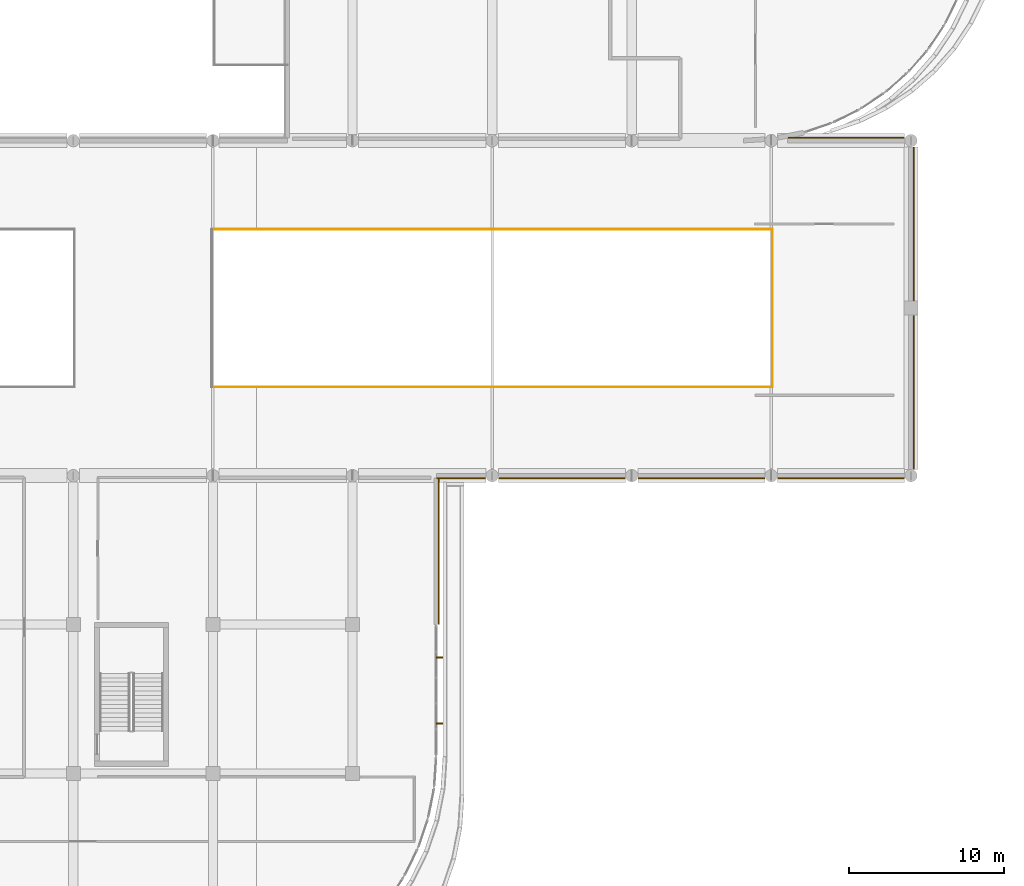
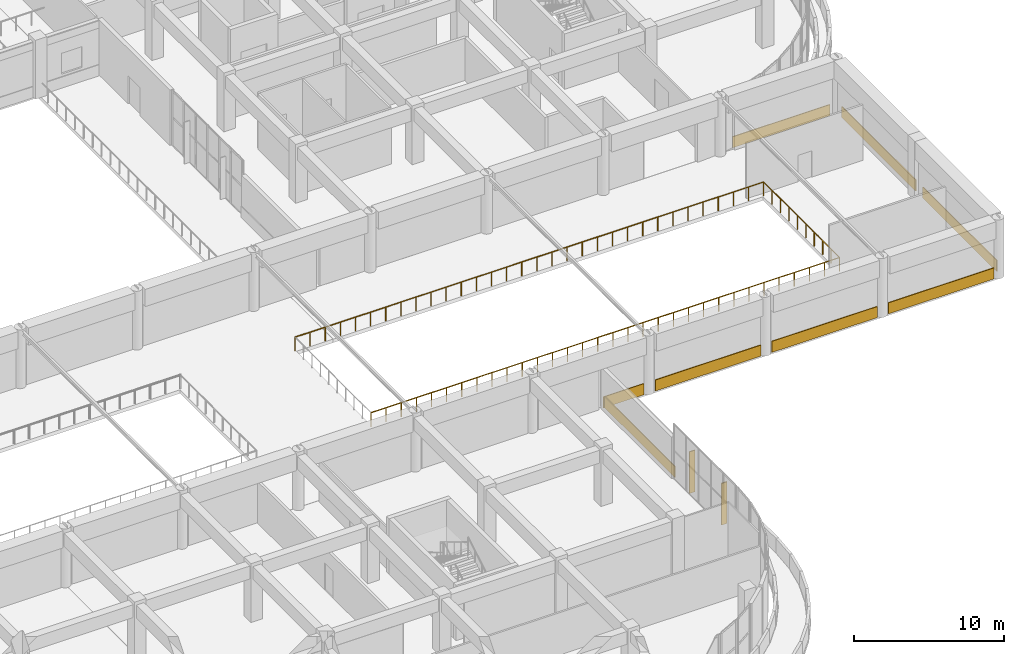
# One storey, part 93 of 96: 8 coverings, 3 railings, 2 shading devices.
"""IFC4 building model written with IfcOpenShell, lengths in metres."""

import ifcopenshell
import ifcopenshell.guid

model = None  # the IFC model being written
_history = None  # IfcOwnerHistory: only IFC2X3 demands one
_inside = {}  # id of a spatial element -> (the spatial element, [elements in it])
_under = {}  # id of a project, library or spatial element -> (it, [spatial elements below it])
_declared = {}  # id of a project -> (the project, [libraries it declares])
_typed = {}  # id of a type object -> (the type object, [elements of that type])
_made_of = {}  # id of a material, layer set ... -> (it, [elements and type objects made of it])


def new_model(schema):
    """Start an empty IFC model of exactly this schema.

    Asked for "IFC4X3", IfcOpenShell would pick the latest addendum, in which some entities
    have other attributes; the version numbers below select the first issue.
    IFC2X3 requires an IfcOwnerHistory on every rooted entity: one is made here for all.
    """
    global model, _history
    if schema == "IFC4X3":
        model = ifcopenshell.file(schema_version=(4, 3, 0, 0))
    else:
        model = ifcopenshell.file(schema=schema)
    _inside.clear()
    _under.clear()
    _declared.clear()
    _typed.clear()
    _made_of.clear()
    _history = None
    if model.schema == "IFC2X3":
        org = make("IfcOrganization", Name="unknown")
        user = make(
            "IfcPersonAndOrganization",
            ThePerson=make("IfcPerson", FamilyName="unknown"),
            TheOrganization=org,
        )
        app = make(
            "IfcApplication",
            ApplicationDeveloper=org,
            Version="unknown",
            ApplicationFullName="unknown",
            ApplicationIdentifier="unknown",
        )
        _history = make(
            "IfcOwnerHistory",
            OwningUser=user,
            OwningApplication=app,
            ChangeAction="ADDED",
            CreationDate=0,
        )
    return model


def make(cls, **values):
    """One entity of the class cls with the attributes given. An attribute that is None is left unset."""
    return model.create_entity(
        cls, **{name: value for name, value in values.items() if value is not None}
    )


def rooted(cls, **values):
    """An entity with a GlobalId (a new one), such as an element, a storey or a relation."""
    return make(cls, GlobalId=ifcopenshell.guid.new(), OwnerHistory=_history, **values)


def si_unit(unit_type, name, prefix=None):
    """IfcSIUnit, for example si_unit("LENGTHUNIT", "METRE", prefix="MILLI")."""
    return make("IfcSIUnit", UnitType=unit_type, Prefix=prefix, Name=name)


def assignment(units):
    """IfcUnitAssignment: the units of a project."""
    return None if units is None else make("IfcUnitAssignment", Units=units)


def point(xyz):
    """IfcCartesianPoint."""
    return None if xyz is None else make("IfcCartesianPoint", Coordinates=xyz)


def direction(xyz):
    """IfcDirection."""
    return None if xyz is None else make("IfcDirection", DirectionRatios=xyz)


def frame(location, z_axis=None, x_axis=None):
    """IfcAxis2Placement3D, a coordinate frame: its origin and axes. An axis left out is left unset."""
    return make(
        "IfcAxis2Placement3D",
        Location=point(location),
        Axis=direction(z_axis),
        RefDirection=direction(x_axis),
    )


def frame_2d(location, x_axis=None):
    """IfcAxis2Placement2D, a coordinate frame in the plane: its origin and x axis."""
    return make(
        "IfcAxis2Placement2D", Location=point(location), RefDirection=direction(x_axis)
    )


def origin():
    """The frame at (0, 0, 0) with its axes left unset."""
    return frame((0.0, 0.0, 0.0))


def origin_2d():
    """The frame at (0, 0) in the plane with its x axis left unset."""
    return frame_2d((0.0, 0.0))


def place(relative_to, where):
    """IfcLocalPlacement: puts the frame where relative to a parent placement (None: the world)."""
    return make(
        "IfcLocalPlacement", PlacementRelTo=relative_to, RelativePlacement=where
    )


def context(
    kind, dimensions, precision=None, world=None, true_north=None, identifier=None
):
    """IfcGeometricRepresentationContext, for example the 3D "Model" context."""
    return make(
        "IfcGeometricRepresentationContext",
        ContextIdentifier=identifier,
        ContextType=kind,
        CoordinateSpaceDimension=dimensions,
        Precision=precision,
        WorldCoordinateSystem=world,
        TrueNorth=true_north,
    )


def subcontext(parent, identifier, kind, view, scale=None):
    """IfcGeometricRepresentationSubContext, for example "Body" below "Model"."""
    return make(
        "IfcGeometricRepresentationSubContext",
        ContextIdentifier=identifier,
        ContextType=kind,
        ParentContext=parent,
        TargetScale=scale,
        TargetView=view,
    )


def project(units=None, contexts=None):
    """IfcProject with its units and contexts."""
    return rooted(
        "IfcProject",
        Name="project",
        RepresentationContexts=contexts,
        UnitsInContext=assignment(units),
    )


def spatial(cls, under=None, at=None, **own):
    """A site, building, storey or space (cls), placed at a placement, below another one or the project."""
    s = rooted(cls, ObjectPlacement=at, **own)
    if under is not None:
        _under.setdefault(under.id(), (under, []))[1].append(s)
    return s


def profile(cls, at=None, kind="AREA", **sizes):
    """A parametric profile (cls). Its sizes go by their IFC names, for example OverallWidth=200.0."""
    return make(cls, ProfileType=kind, Position=at, **sizes)


def rectangle(**sizes):
    """IfcRectangleProfileDef."""
    return profile("IfcRectangleProfileDef", **sizes)


def circle(**sizes):
    """IfcCircleProfileDef."""
    return profile("IfcCircleProfileDef", **sizes)


def extrude(swept, where, along, depth):
    """IfcExtrudedAreaSolid: the profile swept, set in the frame where, extruded along a direction by depth."""
    return make(
        "IfcExtrudedAreaSolid",
        SweptArea=swept,
        Position=where,
        ExtrudedDirection=direction(along),
        Depth=depth,
    )


def shape(context_of_items, identifier, shape_type, items):
    """IfcShapeRepresentation: the items that make up one representation, for example the "Body"."""
    return make(
        "IfcShapeRepresentation",
        ContextOfItems=context_of_items,
        RepresentationIdentifier=identifier,
        RepresentationType=shape_type,
        Items=items,
    )


def material(Name=None, Category=None):
    """IfcMaterial."""
    return make("IfcMaterial", Name=Name, Category=Category)


def layer(
    of_material, thickness, ventilated=None, Name=None, Category=None, Priority=None
):
    """IfcMaterialLayer: one layer of a wall or slab, of a material (None: an air gap)."""
    return make(
        "IfcMaterialLayer",
        Material=of_material,
        LayerThickness=thickness,
        IsVentilated=ventilated,
        Name=Name,
        Category=Category,
        Priority=Priority,
    )


def layer_set(layers, Name=None):
    """IfcMaterialLayerSet."""
    return make("IfcMaterialLayerSet", MaterialLayers=layers, LayerSetName=Name)


def made_of(thing, what):
    """Note that an element or type object is made of a material, layer set ...; save() writes the relation."""
    if what is not None:
        _made_of.setdefault(what.id(), (what, []))[1].append(thing)
    return thing


def type_object(cls, material=None, **own):
    """A type object (cls), such as IfcWallType, which elements share."""
    return made_of(rooted(cls, **own), material)


def element(
    cls,
    number,
    at=None,
    inside=None,
    cuts=None,
    type_object=None,
    material=None,
    context=None,
    identifier="Body",
    shape_type=None,
    held_by="IfcProductDefinitionShape",
    body=None,
    shapes=None,
    **own,
):
    """One element of the class cls, such as IfcWall. Its Tag is "e" and its number.

    at: its placement. inside: the storey or other place that contains it. cuts: it is an
    opening in that element (IfcRelVoidsElement). A single representation is given by context,
    identifier, shape_type and body (its items); several are given by shapes. held_by: the class
    of the entity that holds the representations. save() writes the other relations.
    """
    e = rooted(cls, Tag="e%d" % number, ObjectPlacement=at, **own)
    if body is not None:
        shapes = [shape(context, identifier, shape_type, body)]
    if shapes is not None:
        e.Representation = make(held_by, Representations=shapes)
    if inside is not None:
        _inside.setdefault(inside.id(), (inside, []))[1].append(e)
    if cuts is not None:
        rooted(
            "IfcRelVoidsElement", RelatingBuildingElement=cuts, RelatedOpeningElement=e
        )
    if type_object is not None:
        _typed.setdefault(type_object.id(), (type_object, []))[1].append(e)
    return made_of(e, material)


def aggregate(whole, parts):
    """IfcRelAggregates: a whole, such as a stair, and the parts it consists of."""
    return rooted("IfcRelAggregates", RelatingObject=whole, RelatedObjects=parts)


def save(model, path):
    """Write the relations noted so far, then the file.

    IfcRelAggregates (storeys below a building ...), IfcRelContainedInSpatialStructure (elements
    in a storey), IfcRelDefinesByType, IfcRelAssociatesMaterial and IfcRelDeclares: one each for
    every whole, place, type object, material and project.
    """
    for whole, parts in _under.values():
        aggregate(whole, parts)
    for where, things in _inside.values():
        rooted(
            "IfcRelContainedInSpatialStructure",
            RelatedElements=things,
            RelatingStructure=where,
        )
    for kind, things in _typed.values():
        rooted("IfcRelDefinesByType", RelatedObjects=things, RelatingType=kind)
    for what, things in _made_of.values():
        rooted("IfcRelAssociatesMaterial", RelatedObjects=things, RelatingMaterial=what)
    for by, libraries in _declared.values():
        rooted("IfcRelDeclares", RelatingContext=by, RelatedDefinitions=libraries)
    model.write(path)


model = new_model("IFC4")

# Units and contexts
model_context = context("Model", 3, precision=1e-05, world=origin(), true_north=direction((0.0, 1.0)))
body_context = subcontext(model_context, "Body", "Model", "MODEL_VIEW")
ifc_project = project(units=[si_unit("LENGTHUNIT", "METRE"), si_unit("AREAUNIT", "SQUARE_METRE"), si_unit("VOLUMEUNIT", "CUBIC_METRE"), si_unit("PLANEANGLEUNIT", "RADIAN"), si_unit("MASSUNIT", "GRAM", prefix="KILO")], contexts=[model_context])

# Site, building, storey
site_placement = place(None, origin())
site = spatial("IfcSite", under=ifc_project, at=site_placement, CompositionType="ELEMENT")
building_placement = place(site_placement, origin())
building = spatial("IfcBuilding", under=site, at=building_placement, Name="Cendralis Terraced Arcade", CompositionType="ELEMENT")
storey_placement = place(building_placement, frame((0.0, 0.0, 10.199951171875)))
storey = spatial("IfcBuildingStorey", under=building, at=storey_placement, Name="L02", CompositionType="ELEMENT", Elevation=10.199951171875)

# Coverings
ifc_material_1 = material(Name="Precast concrete f'c 40 MPa", Category="concrete")
ifc_layer = layer(ifc_material_1, 0.06494140625, Name="COV-CLAD-GRC-65")
ifc_layer_set = layer_set([ifc_layer], Name="Precast concrete f'c 40 MPa")
covering_type = type_object("IfcCoveringType", Name="COV-CLAD-GRC-65", PredefinedType="CLADDING", material=ifc_layer_set)
covering_1_placement = place(storey_placement, frame((162.02880859375, 60.179931640625, 0.0), z_axis=(0.0, 0.0, 1.0), x_axis=(1.0, 0.0, 0.0)))
element("IfcCovering", 1, at=covering_1_placement, inside=storey, type_object=covering_type, Name="Banded Precast Stone Spandrel Cladding L02-285", PredefinedType="CLADDING", context=body_context, shape_type="SweptSolid", body=[
    extrude(rectangle(XDim=7.486083984375, YDim=0.06494140625, at=origin_2d()), origin(), (0.0, 0.0, 1.0), 0.89990234375),
])
for number, where, z_axis, x_axis, name in (
    (2, (166.3798828125, 54.625, 0.0), (0.0, 0.0, 1.0), (0.0, -1.0, 0.0), "Banded Precast Stone Spandrel Cladding L02-286"),
    (3, (166.3798828125, 43.77490234375, 0.0), (0.0, 0.0, 1.0), (0.0, -1.0, 0.0), "Banded Precast Stone Spandrel Cladding L02-287"),
):
    element("IfcCovering", number, at=place(storey_placement, frame(where, z_axis=z_axis, x_axis=x_axis)), inside=storey, type_object=covering_type, Name=name, PredefinedType="CLADDING", context=body_context, shape_type="SweptSolid", body=[
        extrude(rectangle(XDim=9.89404296875, YDim=0.06494140625, at=origin_2d()), origin(), (0.0, 0.0, 1.0), 0.89990234375),
    ])
for number, where, z_axis, x_axis, name in (
    (4, (161.699951171875, 38.219970703125, 0.0), (0.0, 0.0, 1.0), (-1.0, 0.0, 0.0), "Banded Precast Stone Spandrel Cladding L02-288"),
    (5, (152.699951171875, 38.219970703125, 0.0), (0.0, 0.0, 1.0), (-1.0, 0.0, 0.0), "Banded Precast Stone Spandrel Cladding L02-289"),
    (6, (143.699951171875, 38.219970703125, 0.0), (0.0, 0.0, 1.0), (-1.0, 0.0, 0.0), "Banded Precast Stone Spandrel Cladding L02-290"),
):
    element("IfcCovering", number, at=place(storey_placement, frame(where, z_axis=z_axis, x_axis=x_axis)), inside=storey, type_object=covering_type, Name=name, PredefinedType="CLADDING", context=body_context, shape_type="SweptSolid", body=[
        extrude(rectangle(XDim=8.14404296875, YDim=0.06494140625, at=origin_2d()), origin(), (0.0, 0.0, 1.0), 0.89990234375),
    ])
covering_2_placement = place(storey_placement, frame((137.200927734375, 38.237548828125, 0.0), z_axis=(0.0, 0.0, 1.0), x_axis=(-1.0, 0.0, 0.0)))
element("IfcCovering", 7, at=covering_2_placement, inside=storey, type_object=covering_type, Name="Banded Precast Stone Spandrel Cladding L02-291", PredefinedType="CLADDING", context=body_context, shape_type="SweptSolid", body=[
    extrude(rectangle(XDim=3.14208984375, YDim=0.06494140625, at=origin_2d()), origin(), (0.0, 0.0, 1.0), 0.89990234375),
])
covering_3_placement = place(storey_placement, frame((135.762451171875, 33.523681640625, 0.0), z_axis=(0.0, 0.0, 1.0), x_axis=(0.0, -1.0, 0.0)))
element("IfcCovering", 8, at=covering_3_placement, inside=storey, type_object=covering_type, Name="Banded Precast Stone Spandrel Cladding L02-292", PredefinedType="CLADDING", context=body_context, shape_type="SweptSolid", body=[
    extrude(rectangle(XDim=9.387451171875, YDim=0.06494140625, at=origin_2d()), origin(), (0.0, 0.0, 1.0), 0.89990234375),
])

# Railings
ifc_material_2 = material(Name="Brushed stainless steel AISI 316", Category="steel")
railing_type = type_object("IfcRailingType", Name="RL-VOID-BAL-1150", PredefinedType="BALUSTRADE", material=ifc_material_2)
railing_1_placement = place(storey_placement, frame((121.1201171875, 44.1201171875, 0.0)))
element("IfcRailing", 9, at=railing_1_placement, inside=storey, type_object=railing_type, Name="Atrium and Arcade Gallery Balustrade L02-055", PredefinedType="BALUSTRADE", context=body_context, shape_type="SweptSolid", body=[
    extrude(circle(Radius=0.02392578125, at=origin_2d()), frame((0.0, 0.0, 1.1259765625), z_axis=(1.0, 0.0, 0.0), x_axis=(0.0, 1.0, 0.0)), (0.0, 0.0, 1.0), 36.159912109375),
    extrude(circle(Radius=0.02099609375, at=origin_2d()), origin(), (0.0, 0.0, 1.0), 1.101806640625),
    extrude(circle(Radius=0.02099609375, at=origin_2d()), frame((1.16650390625, 0.0, 0.0)), (0.0, 0.0, 1.0), 1.101806640625),
    extrude(circle(Radius=0.02099609375, at=origin_2d()), frame((2.3330078125, 0.0, 0.0)), (0.0, 0.0, 1.0), 1.101806640625),
    extrude(circle(Radius=0.02099609375, at=origin_2d()), frame((3.499267578125, 0.0, 0.0)), (0.0, 0.0, 1.0), 1.101806640625),
    extrude(circle(Radius=0.02099609375, at=origin_2d()), frame((4.665771484375, 0.0, 0.0)), (0.0, 0.0, 1.0), 1.101806640625),
    extrude(circle(Radius=0.02099609375, at=origin_2d()), frame((5.832275390625, 0.0, 0.0)), (0.0, 0.0, 1.0), 1.101806640625),
    extrude(circle(Radius=0.02099609375, at=origin_2d()), frame((6.998779296875, 0.0, 0.0)), (0.0, 0.0, 1.0), 1.101806640625),
    extrude(circle(Radius=0.02099609375, at=origin_2d()), frame((8.1650390625, 0.0, 0.0)), (0.0, 0.0, 1.0), 1.101806640625),
    extrude(circle(Radius=0.02099609375, at=origin_2d()), frame((9.33154296875, 0.0, 0.0)), (0.0, 0.0, 1.0), 1.101806640625),
    extrude(circle(Radius=0.02099609375, at=origin_2d()), frame((10.498046875, 0.0, 0.0)), (0.0, 0.0, 1.0), 1.101806640625),
    extrude(circle(Radius=0.02099609375, at=origin_2d()), frame((11.66455078125, 0.0, 0.0)), (0.0, 0.0, 1.0), 1.101806640625),
    extrude(circle(Radius=0.02099609375, at=origin_2d()), frame((12.8310546875, 0.0, 0.0)), (0.0, 0.0, 1.0), 1.101806640625),
    extrude(circle(Radius=0.02099609375, at=origin_2d()), frame((13.997314453125, 0.0, 0.0)), (0.0, 0.0, 1.0), 1.101806640625),
    extrude(circle(Radius=0.02099609375, at=origin_2d()), frame((15.163818359375, 0.0, 0.0)), (0.0, 0.0, 1.0), 1.101806640625),
    extrude(circle(Radius=0.02099609375, at=origin_2d()), frame((16.330322265625, 0.0, 0.0)), (0.0, 0.0, 1.0), 1.101806640625),
    extrude(circle(Radius=0.02099609375, at=origin_2d()), frame((17.496826171875, 0.0, 0.0)), (0.0, 0.0, 1.0), 1.101806640625),
    extrude(circle(Radius=0.02099609375, at=origin_2d()), frame((18.6630859375, 0.0, 0.0)), (0.0, 0.0, 1.0), 1.101806640625),
    extrude(circle(Radius=0.02099609375, at=origin_2d()), frame((19.82958984375, 0.0, 0.0)), (0.0, 0.0, 1.0), 1.101806640625),
    extrude(circle(Radius=0.02099609375, at=origin_2d()), frame((20.99609375, 0.0, 0.0)), (0.0, 0.0, 1.0), 1.101806640625),
    extrude(circle(Radius=0.02099609375, at=origin_2d()), frame((22.16259765625, 0.0, 0.0)), (0.0, 0.0, 1.0), 1.101806640625),
    extrude(circle(Radius=0.02099609375, at=origin_2d()), frame((23.328857421875, 0.0, 0.0)), (0.0, 0.0, 1.0), 1.101806640625),
    extrude(circle(Radius=0.02099609375, at=origin_2d()), frame((24.495361328125, 0.0, 0.0)), (0.0, 0.0, 1.0), 1.101806640625),
    extrude(circle(Radius=0.02099609375, at=origin_2d()), frame((25.661865234375, 0.0, 0.0)), (0.0, 0.0, 1.0), 1.101806640625),
    extrude(circle(Radius=0.02099609375, at=origin_2d()), frame((26.828369140625, 0.0, 0.0)), (0.0, 0.0, 1.0), 1.101806640625),
    extrude(circle(Radius=0.02099609375, at=origin_2d()), frame((27.994873046875, 0.0, 0.0)), (0.0, 0.0, 1.0), 1.101806640625),
    extrude(circle(Radius=0.02099609375, at=origin_2d()), frame((29.1611328125, 0.0, 0.0)), (0.0, 0.0, 1.0), 1.101806640625),
    extrude(circle(Radius=0.02099609375, at=origin_2d()), frame((30.32763671875, 0.0, 0.0)), (0.0, 0.0, 1.0), 1.101806640625),
    extrude(circle(Radius=0.02099609375, at=origin_2d()), frame((31.494140625, 0.0, 0.0)), (0.0, 0.0, 1.0), 1.101806640625),
    extrude(circle(Radius=0.02099609375, at=origin_2d()), frame((32.66064453125, 0.0, 0.0)), (0.0, 0.0, 1.0), 1.101806640625),
    extrude(circle(Radius=0.02099609375, at=origin_2d()), frame((33.826904296875, 0.0, 0.0)), (0.0, 0.0, 1.0), 1.101806640625),
    extrude(circle(Radius=0.02099609375, at=origin_2d()), frame((34.993408203125, 0.0, 0.0)), (0.0, 0.0, 1.0), 1.101806640625),
    extrude(circle(Radius=0.02099609375, at=origin_2d()), frame((36.159912109375, 0.0, 0.0)), (0.0, 0.0, 1.0), 1.101806640625),
])
railing_2_placement = place(storey_placement, frame((157.280029296875, 44.1201171875, 0.0)))
element("IfcRailing", 10, at=railing_2_placement, inside=storey, type_object=railing_type, Name="Atrium and Arcade Gallery Balustrade L02-056", PredefinedType="BALUSTRADE", context=body_context, shape_type="SweptSolid", body=[
    extrude(circle(Radius=0.02392578125, at=origin_2d()), frame((0.0, 0.0, 1.1259765625), z_axis=(0.0, 1.0, 0.0), x_axis=(-1.0, 0.0, 0.0)), (0.0, 0.0, 1.0), 10.159912109375),
    extrude(circle(Radius=0.02099609375, at=origin_2d()), origin(), (0.0, 0.0, 1.0), 1.101806640625),
    extrude(circle(Radius=0.02099609375, at=origin_2d()), frame((0.0, 1.12890625, 0.0)), (0.0, 0.0, 1.0), 1.101806640625),
    extrude(circle(Radius=0.02099609375, at=origin_2d()), frame((0.0, 2.2578125, 0.0)), (0.0, 0.0, 1.0), 1.101806640625),
    extrude(circle(Radius=0.02099609375, at=origin_2d()), frame((0.0, 3.38671875, 0.0)), (0.0, 0.0, 1.0), 1.101806640625),
    extrude(circle(Radius=0.02099609375, at=origin_2d()), frame((0.0, 4.515625, 0.0)), (0.0, 0.0, 1.0), 1.101806640625),
    extrude(circle(Radius=0.02099609375, at=origin_2d()), frame((0.0, 5.644287109375, 0.0)), (0.0, 0.0, 1.0), 1.101806640625),
    extrude(circle(Radius=0.02099609375, at=origin_2d()), frame((0.0, 6.773193359375, 0.0)), (0.0, 0.0, 1.0), 1.101806640625),
    extrude(circle(Radius=0.02099609375, at=origin_2d()), frame((0.0, 7.902099609375, 0.0)), (0.0, 0.0, 1.0), 1.101806640625),
    extrude(circle(Radius=0.02099609375, at=origin_2d()), frame((0.0, 9.031005859375, 0.0)), (0.0, 0.0, 1.0), 1.101806640625),
    extrude(circle(Radius=0.02099609375, at=origin_2d()), frame((0.0, 10.159912109375, 0.0)), (0.0, 0.0, 1.0), 1.101806640625),
])
railing_3_placement = place(storey_placement, frame((157.280029296875, 54.280029296875, 0.0)))
element("IfcRailing", 11, at=railing_3_placement, inside=storey, type_object=railing_type, Name="Atrium and Arcade Gallery Balustrade L02-057", PredefinedType="BALUSTRADE", context=body_context, shape_type="SweptSolid", body=[
    extrude(circle(Radius=0.02392578125, at=origin_2d()), frame((0.0, 0.0, 1.1259765625), z_axis=(-1.0, 0.0, 0.0), x_axis=(0.0, -1.0, 0.0)), (0.0, 0.0, 1.0), 36.159912109375),
    extrude(circle(Radius=0.02099609375, at=origin_2d()), origin(), (0.0, 0.0, 1.0), 1.101806640625),
    extrude(circle(Radius=0.02099609375, at=origin_2d()), frame((-1.16650390625, 0.0, 0.0)), (0.0, 0.0, 1.0), 1.101806640625),
    extrude(circle(Radius=0.02099609375, at=origin_2d()), frame((-2.3330078125, 0.0, 0.0)), (0.0, 0.0, 1.0), 1.101806640625),
    extrude(circle(Radius=0.02099609375, at=origin_2d()), frame((-3.499267578125, 0.0, 0.0)), (0.0, 0.0, 1.0), 1.101806640625),
    extrude(circle(Radius=0.02099609375, at=origin_2d()), frame((-4.665771484375, 0.0, 0.0)), (0.0, 0.0, 1.0), 1.101806640625),
    extrude(circle(Radius=0.02099609375, at=origin_2d()), frame((-5.832275390625, 0.0, 0.0)), (0.0, 0.0, 1.0), 1.101806640625),
    extrude(circle(Radius=0.02099609375, at=origin_2d()), frame((-6.998779296875, 0.0, 0.0)), (0.0, 0.0, 1.0), 1.101806640625),
    extrude(circle(Radius=0.02099609375, at=origin_2d()), frame((-8.1650390625, 0.0, 0.0)), (0.0, 0.0, 1.0), 1.101806640625),
    extrude(circle(Radius=0.02099609375, at=origin_2d()), frame((-9.33154296875, 0.0, 0.0)), (0.0, 0.0, 1.0), 1.101806640625),
    extrude(circle(Radius=0.02099609375, at=origin_2d()), frame((-10.498046875, 0.0, 0.0)), (0.0, 0.0, 1.0), 1.101806640625),
    extrude(circle(Radius=0.02099609375, at=origin_2d()), frame((-11.66455078125, 0.0, 0.0)), (0.0, 0.0, 1.0), 1.101806640625),
    extrude(circle(Radius=0.02099609375, at=origin_2d()), frame((-12.8310546875, 0.0, 0.0)), (0.0, 0.0, 1.0), 1.101806640625),
    extrude(circle(Radius=0.02099609375, at=origin_2d()), frame((-13.997314453125, 0.0, 0.0)), (0.0, 0.0, 1.0), 1.101806640625),
    extrude(circle(Radius=0.02099609375, at=origin_2d()), frame((-15.163818359375, 0.0, 0.0)), (0.0, 0.0, 1.0), 1.101806640625),
    extrude(circle(Radius=0.02099609375, at=origin_2d()), frame((-16.330322265625, 0.0, 0.0)), (0.0, 0.0, 1.0), 1.101806640625),
    extrude(circle(Radius=0.02099609375, at=origin_2d()), frame((-17.496826171875, 0.0, 0.0)), (0.0, 0.0, 1.0), 1.101806640625),
    extrude(circle(Radius=0.02099609375, at=origin_2d()), frame((-18.6630859375, 0.0, 0.0)), (0.0, 0.0, 1.0), 1.101806640625),
    extrude(circle(Radius=0.02099609375, at=origin_2d()), frame((-19.82958984375, 0.0, 0.0)), (0.0, 0.0, 1.0), 1.101806640625),
    extrude(circle(Radius=0.02099609375, at=origin_2d()), frame((-20.99609375, 0.0, 0.0)), (0.0, 0.0, 1.0), 1.101806640625),
    extrude(circle(Radius=0.02099609375, at=origin_2d()), frame((-22.16259765625, 0.0, 0.0)), (0.0, 0.0, 1.0), 1.101806640625),
    extrude(circle(Radius=0.02099609375, at=origin_2d()), frame((-23.328857421875, 0.0, 0.0)), (0.0, 0.0, 1.0), 1.101806640625),
    extrude(circle(Radius=0.02099609375, at=origin_2d()), frame((-24.495361328125, 0.0, 0.0)), (0.0, 0.0, 1.0), 1.101806640625),
    extrude(circle(Radius=0.02099609375, at=origin_2d()), frame((-25.661865234375, 0.0, 0.0)), (0.0, 0.0, 1.0), 1.101806640625),
    extrude(circle(Radius=0.02099609375, at=origin_2d()), frame((-26.828369140625, 0.0, 0.0)), (0.0, 0.0, 1.0), 1.101806640625),
    extrude(circle(Radius=0.02099609375, at=origin_2d()), frame((-27.994873046875, 0.0, 0.0)), (0.0, 0.0, 1.0), 1.101806640625),
    extrude(circle(Radius=0.02099609375, at=origin_2d()), frame((-29.1611328125, 0.0, 0.0)), (0.0, 0.0, 1.0), 1.101806640625),
    extrude(circle(Radius=0.02099609375, at=origin_2d()), frame((-30.32763671875, 0.0, 0.0)), (0.0, 0.0, 1.0), 1.101806640625),
    extrude(circle(Radius=0.02099609375, at=origin_2d()), frame((-31.494140625, 0.0, 0.0)), (0.0, 0.0, 1.0), 1.101806640625),
    extrude(circle(Radius=0.02099609375, at=origin_2d()), frame((-32.66064453125, 0.0, 0.0)), (0.0, 0.0, 1.0), 1.101806640625),
    extrude(circle(Radius=0.02099609375, at=origin_2d()), frame((-33.826904296875, 0.0, 0.0)), (0.0, 0.0, 1.0), 1.101806640625),
    extrude(circle(Radius=0.02099609375, at=origin_2d()), frame((-34.993408203125, 0.0, 0.0)), (0.0, 0.0, 1.0), 1.101806640625),
    extrude(circle(Radius=0.02099609375, at=origin_2d()), frame((-36.159912109375, 0.0, 0.0)), (0.0, 0.0, 1.0), 1.101806640625),
])

# Shading devices
ifc_material_3 = material(Name="Anodised aluminium EN AW-6063 T6", Category="aluminium")
shading_device_type = type_object("IfcShadingDeviceType", Name="SHD-FIN-420", PredefinedType="USERDEFINED", material=ifc_material_3)
for number, where, z_axis, x_axis, name in (
    (12, (135.81494140625, 26.675048828125, 0.050048828125), (0.0, 0.0, 1.0), (0.0, -1.0, 0.0), "Parametric Vertical Solar Fin FIN-L02-065"),
    (13, (135.81494140625, 22.425048828125, 0.050048828125), (0.0, 0.0, 1.0), (0.0, -1.0, 0.0), "Parametric Vertical Solar Fin FIN-L02-066"),
):
    element("IfcShadingDevice", number, at=place(storey_placement, frame(where, z_axis=z_axis, x_axis=x_axis)), inside=storey, type_object=shading_device_type, Name=name, ObjectType="FIN", PredefinedType="USERDEFINED", context=body_context, shape_type="SweptSolid", body=[
        extrude(rectangle(XDim=0.074951171875, YDim=0.419921875, at=origin_2d()), origin(), (0.0, 0.0, 1.0), 3.39990234375),
    ])

save(model, "model.ifc")
